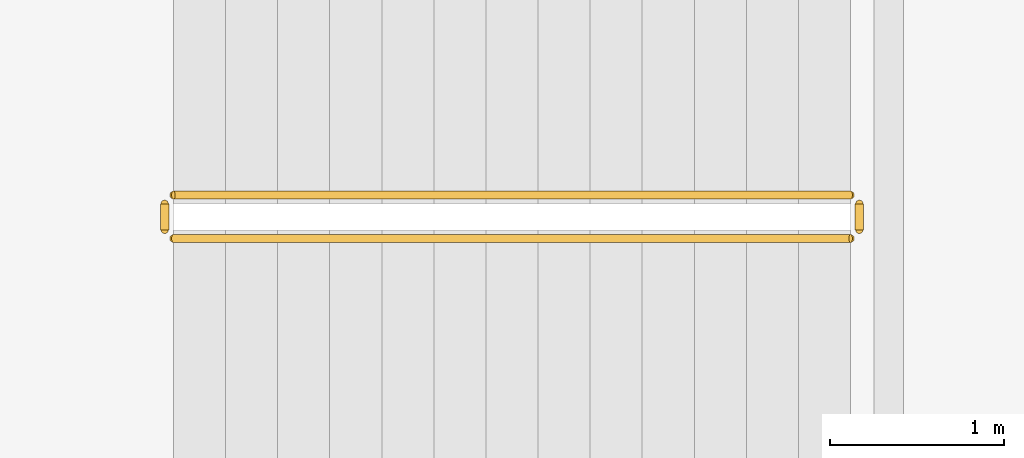
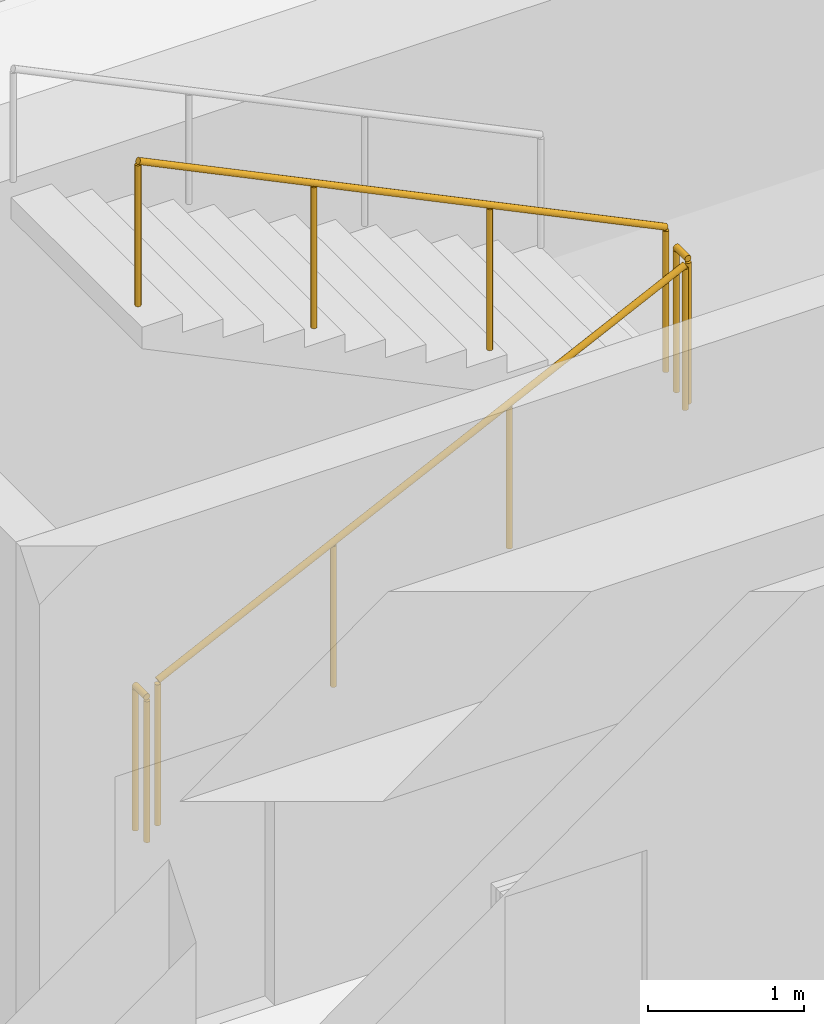
# One storey, part 37 of 40: 4 railings.
"""IFC4 building model written with IfcOpenShell, lengths in metres."""

from ifc_helpers import new_model, si_unit, direction, frame, origin, origin_2d, place, context, subcontext, project, spatial, circle, extrude, material, type_object, element, save


model = new_model("IFC4")

# Units and contexts
model_context = context("Model", 3, precision=1e-05, world=origin(), true_north=direction((0.0, 1.0)))
body_context = subcontext(model_context, "Body", "Model", "MODEL_VIEW")
ifc_project = project(units=[si_unit("LENGTHUNIT", "METRE"), si_unit("AREAUNIT", "SQUARE_METRE"), si_unit("VOLUMEUNIT", "CUBIC_METRE"), si_unit("PLANEANGLEUNIT", "RADIAN"), si_unit("MASSUNIT", "GRAM", prefix="KILO")], contexts=[model_context])

# Site, building, storey
site_placement = place(None, origin())
site = spatial("IfcSite", under=ifc_project, at=site_placement, CompositionType="ELEMENT")
building_placement = place(site_placement, origin())
building = spatial("IfcBuilding", under=site, at=building_placement, Name="Punatoya Terracotta Tower", CompositionType="ELEMENT")
storey_placement = place(building_placement, frame((0.0, 0.0, 76.800048828125)))
storey = spatial("IfcBuildingStorey", under=building, at=storey_placement, Name="L17", CompositionType="ELEMENT", Elevation=76.800048828125)

# Railings
ifc_material = material(Name="Steel S355", Category="steel")
railing_type = type_object("IfcRailingType", Name="RLG-GRD-1150", PredefinedType="GUARDRAIL", material=ifc_material)
railing_1_placement = place(storey_placement, frame((-2.89990234375, 6.949951171875, 0.14453125)))
element("IfcRailing", 1, at=railing_1_placement, inside=storey, type_object=railing_type, Name="L17 ST-3 stair guard 1", PredefinedType="GUARDRAIL", context=body_context, shape_type="SweptSolid", body=[
    extrude(circle(Radius=0.02392578125, at=origin_2d()), frame((0.0, 0.0, 1.1259765625), z_axis=(0.900763166376, 0.0, 0.434310623978), x_axis=(0.0, 1.0, 0.0)), (0.0, 0.0, 1.0), 4.32958984375),
    extrude(circle(Radius=0.02099609375, at=origin_2d()), origin(), (0.0, 0.0, 1.0), 1.101806640625),
    extrude(circle(Radius=0.02099609375, at=origin_2d()), frame((1.300048828125, 0.0, 0.626708984375)), (0.0, 0.0, 1.0), 1.101806640625),
    extrude(circle(Radius=0.02099609375, at=origin_2d()), frame((2.599853515625, 0.0, 1.253662109375)), (0.0, 0.0, 1.0), 1.101806640625),
    extrude(circle(Radius=0.02099609375, at=origin_2d()), frame((3.89990234375, 0.0, 1.88037109375)), (0.0, 0.0, 1.0), 1.101806640625),
])
railing_2_placement = place(storey_placement, frame((1.050048828125, 7.0, 2.02490234375)))
element("IfcRailing", 2, at=railing_2_placement, inside=storey, type_object=railing_type, Name="L17 ST-3 stair guard 2", PredefinedType="GUARDRAIL", context=body_context, shape_type="SweptSolid", body=[
    extrude(circle(Radius=0.02392578125, at=origin_2d()), frame((0.0, 0.0, 1.1259765625), z_axis=(0.0, 1.0, 0.0), x_axis=(-1.0, 0.0, 0.0)), (0.0, 0.0, 1.0), 0.14990234375),
    extrude(circle(Radius=0.02099609375, at=origin_2d()), origin(), (0.0, 0.0, 1.0), 1.101806640625),
    extrude(circle(Radius=0.02099609375, at=origin_2d()), frame((0.0, 0.14990234375, 0.0)), (0.0, 0.0, 1.0), 1.101806640625),
])
railing_3_placement = place(storey_placement, frame((1.0, 7.199951171875, 2.169677734375)))
element("IfcRailing", 3, at=railing_3_placement, inside=storey, type_object=railing_type, Name="L17 ST-3 stair guard 3", PredefinedType="GUARDRAIL", context=body_context, shape_type="SweptSolid", body=[
    extrude(circle(Radius=0.02392578125, at=origin_2d()), frame((0.0, 0.0, 1.1259765625), z_axis=(-0.900763166376, 0.0, 0.434310623978), x_axis=(0.0, -1.0, 0.0)), (0.0, 0.0, 1.0), 4.32958984375),
    extrude(circle(Radius=0.02099609375, at=origin_2d()), origin(), (0.0, 0.0, 1.0), 1.101806640625),
    extrude(circle(Radius=0.02099609375, at=origin_2d()), frame((-1.300048828125, 0.0, 0.626708984375)), (0.0, 0.0, 1.0), 1.101806640625),
    extrude(circle(Radius=0.02099609375, at=origin_2d()), frame((-2.599853515625, 0.0, 1.253662109375)), (0.0, 0.0, 1.0), 1.101806640625),
    extrude(circle(Radius=0.02099609375, at=origin_2d()), frame((-3.89990234375, 0.0, 1.88037109375)), (0.0, 0.0, 1.0), 1.101806640625),
])
railing_4_placement = place(storey_placement, frame((-2.949951171875, 7.0, 0.0)))
element("IfcRailing", 4, at=railing_4_placement, inside=storey, type_object=railing_type, Name="L17 ST-3 stair guard 4", PredefinedType="GUARDRAIL", context=body_context, shape_type="SweptSolid", body=[
    extrude(circle(Radius=0.02392578125, at=origin_2d()), frame((0.0, 0.0, 1.1259765625), z_axis=(0.0, 1.0, 0.0), x_axis=(-1.0, 0.0, 0.0)), (0.0, 0.0, 1.0), 0.14990234375),
    extrude(circle(Radius=0.02099609375, at=origin_2d()), origin(), (0.0, 0.0, 1.0), 1.101806640625),
    extrude(circle(Radius=0.02099609375, at=origin_2d()), frame((0.0, 0.14990234375, 0.0)), (0.0, 0.0, 1.0), 1.101806640625),
])

save(model, "model.ifc")
